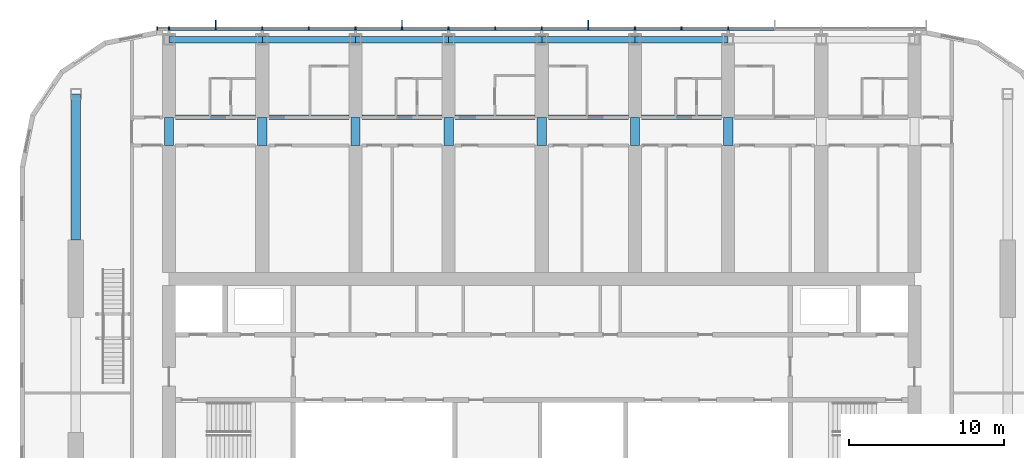
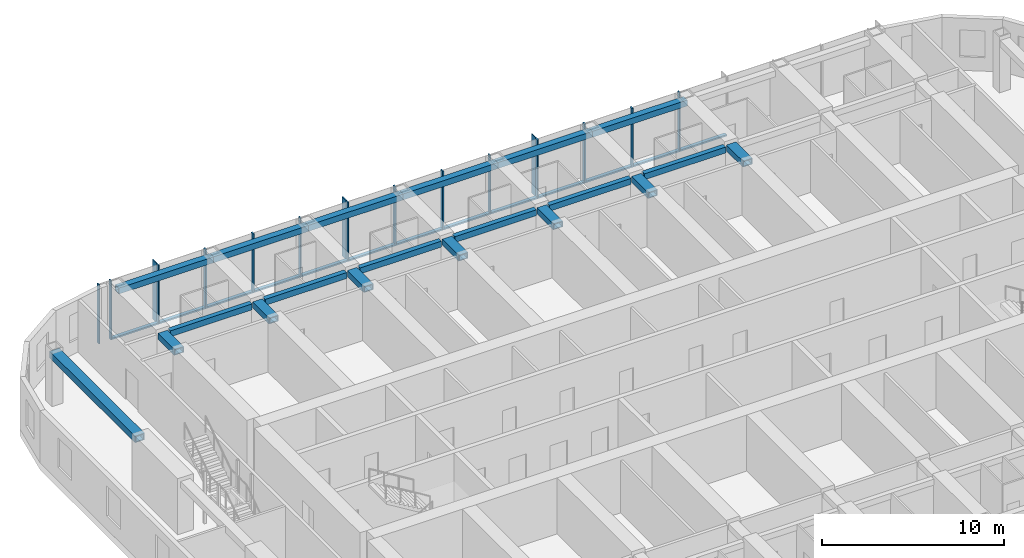
# One storey, part 6 of 27: 30 members, 20 beams, 1 element without a shape of its own.
"""IFC4 building model written with IfcOpenShell, lengths in metres."""

from ifc_helpers import new_model, si_unit, direction, frame, origin, origin_2d, place, context, subcontext, project, spatial, rectangle, hollow_rectangle, extrude, material, material_profile, profile_set, type_object, element, aggregate, save


model = new_model("IFC4")

# Units and contexts
model_context = context("Model", 3, precision=1e-05, world=origin(), true_north=direction((0.0, 1.0)))
body_context = subcontext(model_context, "Body", "Model", "MODEL_VIEW")
ifc_project = project(units=[si_unit("LENGTHUNIT", "METRE"), si_unit("AREAUNIT", "SQUARE_METRE"), si_unit("VOLUMEUNIT", "CUBIC_METRE"), si_unit("PLANEANGLEUNIT", "RADIAN"), si_unit("MASSUNIT", "GRAM", prefix="KILO")], contexts=[model_context])

# Site, building, storey
site_placement = place(None, origin())
site = spatial("IfcSite", under=ifc_project, at=site_placement, CompositionType="ELEMENT")
building_placement = place(site_placement, origin())
building = spatial("IfcBuilding", under=site, at=building_placement, Name="Orbita Commons", CompositionType="ELEMENT")
storey_placement = place(building_placement, frame((0.0, 0.0, 178.60009765625)))
storey = spatial("IfcBuildingStorey", under=building, at=storey_placement, Name="L44", CompositionType="ELEMENT", Elevation=178.60009765625)

# Curtain wall, members
ifc_material_1 = material(Name="Anodised aluminium frame, pale silver", Category="aluminium")
curtain_wall_type = type_object("IfcCurtainWallType", Name="Unitised curtain wall CW-U, full-height vision", PredefinedType="NOTDEFINED", material=ifc_material_1)
curtain_wall_placement = place(storey_placement, origin())
curtain_wall = element("IfcCurtainWall", 1, at=curtain_wall_placement, inside=storey, type_object=curtain_wall_type, Name="Curtain wall north L44", PredefinedType="NOTDEFINED")
ifc_material_2 = material(Name="Anodised aluminium, pale silver", Category="aluminium")
ifc_material_profile_1 = material_profile(ifc_material_2, rectangle(XDim=0.080078125, YDim=0.219970703125, at=origin_2d()), Name="AL 80x220")
ifc_profile_set_1 = profile_set([ifc_material_profile_1], Name="Anodised aluminium, pale silver")
member_type_1 = type_object("IfcMemberType", Name="Curtain wall mullion 80x220", PredefinedType="MULLION", material=ifc_profile_set_1)
member_1_placement = place(storey_placement, frame((54.0, 54.31005859375, -0.4501953125), z_axis=(0.0, 0.0, 1.0), x_axis=(-1.0, 0.0, 0.0)))
member_1 = element("IfcMember", 2, at=member_1_placement, type_object=member_type_1, Name="Mullion 6 CW-L44-N", PredefinedType="MULLION", context=body_context, shape_type="SweptSolid", body=[
    extrude(rectangle(XDim=0.080078125, YDim=0.219970703125, at=origin_2d()), origin(), (0.0, 0.0, 1.0), 3.9501953125),
])
member_2_placement = place(storey_placement, frame((51.0, 54.31005859375, -0.4501953125), z_axis=(0.0, 0.0, 1.0), x_axis=(-1.0, 0.0, 0.0)))
member_2 = element("IfcMember", 3, at=member_2_placement, type_object=member_type_1, Name="Mullion 7 CW-L44-N", PredefinedType="MULLION", context=body_context, shape_type="SweptSolid", body=[
    extrude(rectangle(XDim=0.080078125, YDim=0.219970703125, at=origin_2d()), origin(), (0.0, 0.0, 1.0), 3.9501953125),
])
member_3_placement = place(storey_placement, frame((48.0, 54.31005859375, -0.4501953125), z_axis=(0.0, 0.0, 1.0), x_axis=(-1.0, 0.0, 0.0)))
member_3 = element("IfcMember", 4, at=member_3_placement, type_object=member_type_1, Name="Mullion 8 CW-L44-N", PredefinedType="MULLION", context=body_context, shape_type="SweptSolid", body=[
    extrude(rectangle(XDim=0.080078125, YDim=0.219970703125, at=origin_2d()), origin(), (0.0, 0.0, 1.0), 3.9501953125),
])
member_4_placement = place(storey_placement, frame((45.0, 54.31005859375, -0.4501953125), z_axis=(0.0, 0.0, 1.0), x_axis=(-1.0, 0.0, 0.0)))
member_4 = element("IfcMember", 5, at=member_4_placement, type_object=member_type_1, Name="Mullion 9 CW-L44-N", PredefinedType="MULLION", context=body_context, shape_type="SweptSolid", body=[
    extrude(rectangle(XDim=0.080078125, YDim=0.219970703125, at=origin_2d()), origin(), (0.0, 0.0, 1.0), 3.9501953125),
])
member_5_placement = place(storey_placement, frame((42.0, 54.31005859375, -0.4501953125), z_axis=(0.0, 0.0, 1.0), x_axis=(-1.0, 0.0, 0.0)))
member_5 = element("IfcMember", 6, at=member_5_placement, type_object=member_type_1, Name="Mullion 10 CW-L44-N", PredefinedType="MULLION", context=body_context, shape_type="SweptSolid", body=[
    extrude(rectangle(XDim=0.080078125, YDim=0.219970703125, at=origin_2d()), origin(), (0.0, 0.0, 1.0), 3.9501953125),
])
member_6_placement = place(storey_placement, frame((39.0, 54.31005859375, -0.4501953125), z_axis=(0.0, 0.0, 1.0), x_axis=(-1.0, 0.0, 0.0)))
member_6 = element("IfcMember", 7, at=member_6_placement, type_object=member_type_1, Name="Mullion 11 CW-L44-N", PredefinedType="MULLION", context=body_context, shape_type="SweptSolid", body=[
    extrude(rectangle(XDim=0.080078125, YDim=0.219970703125, at=origin_2d()), origin(), (0.0, 0.0, 1.0), 3.9501953125),
])
member_7_placement = place(storey_placement, frame((36.0, 54.31005859375, -0.4501953125), z_axis=(0.0, 0.0, 1.0), x_axis=(-1.0, 0.0, 0.0)))
member_7 = element("IfcMember", 8, at=member_7_placement, type_object=member_type_1, Name="Mullion 12 CW-L44-N", PredefinedType="MULLION", context=body_context, shape_type="SweptSolid", body=[
    extrude(rectangle(XDim=0.080078125, YDim=0.219970703125, at=origin_2d()), origin(), (0.0, 0.0, 1.0), 3.9501953125),
])
member_8_placement = place(storey_placement, frame((33.0, 54.31005859375, -0.4501953125), z_axis=(0.0, 0.0, 1.0), x_axis=(-1.0, 0.0, 0.0)))
member_8 = element("IfcMember", 9, at=member_8_placement, type_object=member_type_1, Name="Mullion 13 CW-L44-N", PredefinedType="MULLION", context=body_context, shape_type="SweptSolid", body=[
    extrude(rectangle(XDim=0.080078125, YDim=0.219970703125, at=origin_2d()), origin(), (0.0, 0.0, 1.0), 3.9501953125),
])
member_9_placement = place(storey_placement, frame((30.0, 54.31005859375, -0.4501953125), z_axis=(0.0, 0.0, 1.0), x_axis=(-1.0, 0.0, 0.0)))
member_9 = element("IfcMember", 10, at=member_9_placement, type_object=member_type_1, Name="Mullion 14 CW-L44-N", PredefinedType="MULLION", context=body_context, shape_type="SweptSolid", body=[
    extrude(rectangle(XDim=0.080078125, YDim=0.219970703125, at=origin_2d()), origin(), (0.0, 0.0, 1.0), 3.9501953125),
])
member_10_placement = place(storey_placement, frame((27.0, 54.31005859375, -0.4501953125), z_axis=(0.0, 0.0, 1.0), x_axis=(-1.0, 0.0, 0.0)))
member_10 = element("IfcMember", 11, at=member_10_placement, type_object=member_type_1, Name="Mullion 15 CW-L44-N", PredefinedType="MULLION", context=body_context, shape_type="SweptSolid", body=[
    extrude(rectangle(XDim=0.080078125, YDim=0.219970703125, at=origin_2d()), origin(), (0.0, 0.0, 1.0), 3.9501953125),
])
member_11_placement = place(storey_placement, frame((24.0, 54.31005859375, -0.4501953125), z_axis=(0.0, 0.0, 1.0), x_axis=(-1.0, 0.0, 0.0)))
member_11 = element("IfcMember", 12, at=member_11_placement, type_object=member_type_1, Name="Mullion 16 CW-L44-N", PredefinedType="MULLION", context=body_context, shape_type="SweptSolid", body=[
    extrude(rectangle(XDim=0.080078125, YDim=0.219970703125, at=origin_2d()), origin(), (0.0, 0.0, 1.0), 3.9501953125),
])
member_12_placement = place(storey_placement, frame((21.0, 54.31005859375, -0.4501953125), z_axis=(0.0, 0.0, 1.0), x_axis=(-1.0, 0.0, 0.0)))
member_12 = element("IfcMember", 13, at=member_12_placement, type_object=member_type_1, Name="Mullion 17 CW-L44-N", PredefinedType="MULLION", context=body_context, shape_type="SweptSolid", body=[
    extrude(rectangle(XDim=0.080078125, YDim=0.219970703125, at=origin_2d()), origin(), (0.0, 0.0, 1.0), 3.9501953125),
])
member_13_placement = place(storey_placement, frame((18.0, 54.31005859375, -0.4501953125), z_axis=(0.0, 0.0, 1.0), x_axis=(-1.0, 0.0, 0.0)))
member_13 = element("IfcMember", 14, at=member_13_placement, type_object=member_type_1, Name="Mullion 18 CW-L44-N", PredefinedType="MULLION", context=body_context, shape_type="SweptSolid", body=[
    extrude(rectangle(XDim=0.080078125, YDim=0.219970703125, at=origin_2d()), origin(), (0.0, 0.0, 1.0), 3.9501953125),
])
member_14_placement = place(storey_placement, frame((17.239990234375, 54.31005859375, -0.4501953125), z_axis=(0.0, 0.0, 1.0), x_axis=(-1.0, 0.0, 0.0)))
member_14 = element("IfcMember", 15, at=member_14_placement, type_object=member_type_1, Name="Mullion 19 CW-L44-N", PredefinedType="MULLION", context=body_context, shape_type="SweptSolid", body=[
    extrude(rectangle(XDim=0.080078125, YDim=0.219970703125, at=origin_2d()), origin(), (0.0, 0.0, 1.0), 3.9501953125),
])
ifc_material_3 = material(Name="Anodised aluminium, pale silver", Category="aluminium")
ifc_material_profile_2 = material_profile(ifc_material_3, rectangle(XDim=0.219970703125, YDim=0.10009765625, at=origin_2d()), Name="AL 220x100")
ifc_profile_set_2 = profile_set([ifc_material_profile_2], Name="Anodised aluminium, pale silver")
member_type_2 = type_object("IfcMemberType", Name="Curtain wall stack transom 220x100", PredefinedType="USERDEFINED", material=ifc_profile_set_2)
member_15_placement = place(storey_placement, frame((56.9599609375, 54.31005859375, -0.400146484375), z_axis=(-1.0, 0.0, 0.0), x_axis=(0.0, -1.0, 0.0)))
member_15 = element("IfcMember", 16, at=member_15_placement, type_object=member_type_2, Name="Transom 5.1 CW-L44-N", ObjectType="TRANSOM", PredefinedType="USERDEFINED", context=body_context, shape_type="SweptSolid", body=[
    extrude(rectangle(XDim=0.219970703125, YDim=0.10009765625, at=origin_2d()), origin(), (0.0, 0.0, 1.0), 2.919921875),
])
member_16_placement = place(storey_placement, frame((53.9599609375, 54.31005859375, -0.400146484375), z_axis=(-1.0, 0.0, 0.0), x_axis=(0.0, -1.0, 0.0)))
member_16 = element("IfcMember", 17, at=member_16_placement, type_object=member_type_2, Name="Transom 6.1 CW-L44-N", ObjectType="TRANSOM", PredefinedType="USERDEFINED", context=body_context, shape_type="SweptSolid", body=[
    extrude(rectangle(XDim=0.219970703125, YDim=0.10009765625, at=origin_2d()), origin(), (0.0, 0.0, 1.0), 2.919921875),
])
member_17_placement = place(storey_placement, frame((50.9599609375, 54.31005859375, -0.400146484375), z_axis=(-1.0, 0.0, 0.0), x_axis=(0.0, -1.0, 0.0)))
member_17 = element("IfcMember", 18, at=member_17_placement, type_object=member_type_2, Name="Transom 7.1 CW-L44-N", ObjectType="TRANSOM", PredefinedType="USERDEFINED", context=body_context, shape_type="SweptSolid", body=[
    extrude(rectangle(XDim=0.219970703125, YDim=0.10009765625, at=origin_2d()), origin(), (0.0, 0.0, 1.0), 2.919921875),
])
member_18_placement = place(storey_placement, frame((47.9599609375, 54.31005859375, -0.400146484375), z_axis=(-1.0, 0.0, 0.0), x_axis=(0.0, -1.0, 0.0)))
member_18 = element("IfcMember", 19, at=member_18_placement, type_object=member_type_2, Name="Transom 8.1 CW-L44-N", ObjectType="TRANSOM", PredefinedType="USERDEFINED", context=body_context, shape_type="SweptSolid", body=[
    extrude(rectangle(XDim=0.219970703125, YDim=0.10009765625, at=origin_2d()), origin(), (0.0, 0.0, 1.0), 2.919921875),
])
member_19_placement = place(storey_placement, frame((44.9599609375, 54.31005859375, -0.400146484375), z_axis=(-1.0, 0.0, 0.0), x_axis=(0.0, -1.0, 0.0)))
member_19 = element("IfcMember", 20, at=member_19_placement, type_object=member_type_2, Name="Transom 9.1 CW-L44-N", ObjectType="TRANSOM", PredefinedType="USERDEFINED", context=body_context, shape_type="SweptSolid", body=[
    extrude(rectangle(XDim=0.219970703125, YDim=0.10009765625, at=origin_2d()), origin(), (0.0, 0.0, 1.0), 2.919921875),
])
member_20_placement = place(storey_placement, frame((41.9599609375, 54.31005859375, -0.400146484375), z_axis=(-1.0, 0.0, 0.0), x_axis=(0.0, -1.0, 0.0)))
member_20 = element("IfcMember", 21, at=member_20_placement, type_object=member_type_2, Name="Transom 10.1 CW-L44-N", ObjectType="TRANSOM", PredefinedType="USERDEFINED", context=body_context, shape_type="SweptSolid", body=[
    extrude(rectangle(XDim=0.219970703125, YDim=0.10009765625, at=origin_2d()), origin(), (0.0, 0.0, 1.0), 2.919921875),
])
member_21_placement = place(storey_placement, frame((38.9599609375, 54.31005859375, -0.400146484375), z_axis=(-1.0, 0.0, 0.0), x_axis=(0.0, -1.0, 0.0)))
member_21 = element("IfcMember", 22, at=member_21_placement, type_object=member_type_2, Name="Transom 11.1 CW-L44-N", ObjectType="TRANSOM", PredefinedType="USERDEFINED", context=body_context, shape_type="SweptSolid", body=[
    extrude(rectangle(XDim=0.219970703125, YDim=0.10009765625, at=origin_2d()), origin(), (0.0, 0.0, 1.0), 2.919921875),
])
member_22_placement = place(storey_placement, frame((35.9599609375, 54.31005859375, -0.400146484375), z_axis=(-1.0, 0.0, 0.0), x_axis=(0.0, -1.0, 0.0)))
member_22 = element("IfcMember", 23, at=member_22_placement, type_object=member_type_2, Name="Transom 12.1 CW-L44-N", ObjectType="TRANSOM", PredefinedType="USERDEFINED", context=body_context, shape_type="SweptSolid", body=[
    extrude(rectangle(XDim=0.219970703125, YDim=0.10009765625, at=origin_2d()), origin(), (0.0, 0.0, 1.0), 2.919921875),
])
member_23_placement = place(storey_placement, frame((32.9599609375, 54.31005859375, -0.400146484375), z_axis=(-1.0, 0.0, 0.0), x_axis=(0.0, -1.0, 0.0)))
member_23 = element("IfcMember", 24, at=member_23_placement, type_object=member_type_2, Name="Transom 13.1 CW-L44-N", ObjectType="TRANSOM", PredefinedType="USERDEFINED", context=body_context, shape_type="SweptSolid", body=[
    extrude(rectangle(XDim=0.219970703125, YDim=0.10009765625, at=origin_2d()), origin(), (0.0, 0.0, 1.0), 2.919921875),
])
member_24_placement = place(storey_placement, frame((29.9599609375, 54.31005859375, -0.400146484375), z_axis=(-1.0, 0.0, 0.0), x_axis=(0.0, -1.0, 0.0)))
member_24 = element("IfcMember", 25, at=member_24_placement, type_object=member_type_2, Name="Transom 14.1 CW-L44-N", ObjectType="TRANSOM", PredefinedType="USERDEFINED", context=body_context, shape_type="SweptSolid", body=[
    extrude(rectangle(XDim=0.219970703125, YDim=0.10009765625, at=origin_2d()), origin(), (0.0, 0.0, 1.0), 2.919921875),
])
member_25_placement = place(storey_placement, frame((26.9599609375, 54.31005859375, -0.400146484375), z_axis=(-1.0, 0.0, 0.0), x_axis=(0.0, -1.0, 0.0)))
member_25 = element("IfcMember", 26, at=member_25_placement, type_object=member_type_2, Name="Transom 15.1 CW-L44-N", ObjectType="TRANSOM", PredefinedType="USERDEFINED", context=body_context, shape_type="SweptSolid", body=[
    extrude(rectangle(XDim=0.219970703125, YDim=0.10009765625, at=origin_2d()), origin(), (0.0, 0.0, 1.0), 2.919921875),
])
member_26_placement = place(storey_placement, frame((23.9599609375, 54.31005859375, -0.400146484375), z_axis=(-1.0, 0.0, 0.0), x_axis=(0.0, -1.0, 0.0)))
member_26 = element("IfcMember", 27, at=member_26_placement, type_object=member_type_2, Name="Transom 16.1 CW-L44-N", ObjectType="TRANSOM", PredefinedType="USERDEFINED", context=body_context, shape_type="SweptSolid", body=[
    extrude(rectangle(XDim=0.219970703125, YDim=0.10009765625, at=origin_2d()), origin(), (0.0, 0.0, 1.0), 2.919921875),
])
member_27_placement = place(storey_placement, frame((20.9599609375, 54.31005859375, -0.400146484375), z_axis=(-1.0, 0.0, 0.0), x_axis=(0.0, -1.0, 0.0)))
member_27 = element("IfcMember", 28, at=member_27_placement, type_object=member_type_2, Name="Transom 17.1 CW-L44-N", ObjectType="TRANSOM", PredefinedType="USERDEFINED", context=body_context, shape_type="SweptSolid", body=[
    extrude(rectangle(XDim=0.219970703125, YDim=0.10009765625, at=origin_2d()), origin(), (0.0, 0.0, 1.0), 2.919921875),
])

# Beams
ifc_material_4 = material(Name="Steel ASTM A572 Gr 50 welded plate", Category="steel")
ifc_material_profile_3 = material_profile(ifc_material_4, hollow_rectangle(XDim=0.300048828125, YDim=0.39990234375, WallThickness=0.0400390625, at=origin_2d()), Name="BOX 400x300x40")
ifc_profile_set_3 = profile_set([ifc_material_profile_3], Name="Steel ASTM A572 Gr 50 welded plate")
beam_type_1 = type_object("IfcBeamType", Name="Steel corridor link BOX 400x300x40", PredefinedType="BEAM", material=ifc_profile_set_3)
for number, where, z_axis, x_axis, name in (
    (29, (18.425048828125, 48.60009765625, 3.2998046875), (1.0, 0.0, 0.0), (0.0, 1.0, 0.0), "Corridor beam NB 4-5 L44"),
    (30, (24.425048828125, 48.60009765625, 3.2998046875), (1.0, 0.0, 0.0), (0.0, 1.0, 0.0), "Corridor beam NB 5-6 L44"),
    (31, (30.425048828125, 48.60009765625, 3.2998046875), (1.0, 0.0, 0.0), (0.0, 1.0, 0.0), "Corridor beam NB 6-7 L44"),
    (32, (36.425048828125, 48.60009765625, 3.2998046875), (1.0, 0.0, 0.0), (0.0, 1.0, 0.0), "Corridor beam NB 7-8 L44"),
    (33, (42.425048828125, 48.60009765625, 3.2998046875), (1.0, 0.0, 0.0), (0.0, 1.0, 0.0), "Corridor beam NB 8-9 L44"),
    (34, (48.425048828125, 48.60009765625, 3.2998046875), (1.0, 0.0, 0.0), (0.0, 1.0, 0.0), "Corridor beam NB 9-10 L44"),
):
    element("IfcBeam", number, at=place(storey_placement, frame(where, z_axis=z_axis, x_axis=x_axis)), inside=storey, type_object=beam_type_1, Name=name, PredefinedType="BEAM", context=body_context, shape_type="SweptSolid", body=[
        extrude(hollow_rectangle(XDim=0.300048828125, YDim=0.39990234375, WallThickness=0.0400390625, at=origin_2d()), origin(), (0.0, 0.0, 1.0), 5.14990234375),
    ])
ifc_material_5 = material(Name="Steel ASTM A572 Gr 50 welded plate", Category="steel")
ifc_material_profile_4 = material_profile(ifc_material_5, hollow_rectangle(XDim=0.60009765625, YDim=0.39990234375, WallThickness=0.050048828125, at=origin_2d()), Name="BOX 400x600x50")
ifc_profile_set_4 = profile_set([ifc_material_profile_4], Name="Steel ASTM A572 Gr 50 welded plate")
beam_type_2 = type_object("IfcBeamType", Name="Steel coupling link BOX 400x600x50", PredefinedType="LINTEL", material=ifc_profile_set_4)
for number, where, z_axis, x_axis, name in (
    (35, (18.0, 46.800048828125, 3.2998046875), (0.0, 1.0, 0.0), (-1.0, 0.0, 0.0), "Coupling beam 4 north L44"),
    (36, (24.0, 46.800048828125, 3.2998046875), (0.0, 1.0, 0.0), (-1.0, 0.0, 0.0), "Coupling beam 5 north L44"),
    (37, (30.0, 46.800048828125, 3.2998046875), (0.0, 1.0, 0.0), (-1.0, 0.0, 0.0), "Coupling beam 6 north L44"),
    (38, (36.0, 46.800048828125, 3.2998046875), (0.0, 1.0, 0.0), (-1.0, 0.0, 0.0), "Coupling beam 7 north L44"),
    (39, (42.0, 46.800048828125, 3.2998046875), (0.0, 1.0, 0.0), (-1.0, 0.0, 0.0), "Coupling beam 8 north L44"),
    (40, (48.0, 46.800048828125, 3.2998046875), (0.0, 1.0, 0.0), (-1.0, 0.0, 0.0), "Coupling beam 9 north L44"),
    (41, (54.0, 46.800048828125, 3.2998046875), (0.0, 1.0, 0.0), (-1.0, 0.0, 0.0), "Coupling beam 10 north L44"),
):
    element("IfcBeam", number, at=place(storey_placement, frame(where, z_axis=z_axis, x_axis=x_axis)), inside=storey, type_object=beam_type_2, Name=name, PredefinedType="LINTEL", context=body_context, shape_type="SweptSolid", body=[
        extrude(hollow_rectangle(XDim=0.60009765625, YDim=0.39990234375, WallThickness=0.050048828125, at=origin_2d()), origin(), (0.0, 0.0, 1.0), 1.800048828125),
    ])
ifc_material_6 = material(Name="Steel ASTM A572 Gr 50 welded plate", Category="steel")
ifc_material_profile_5 = material_profile(ifc_material_6, hollow_rectangle(XDim=0.60009765625, YDim=0.449951171875, WallThickness=0.06005859375, at=origin_2d()), Name="BOX 450x600x60")
ifc_profile_set_5 = profile_set([ifc_material_profile_5], Name="Steel ASTM A572 Gr 50 welded plate")
beam_type_3 = type_object("IfcBeamType", Name="Steel end frame link BOX 450x600x60", PredefinedType="BEAM", material=ifc_profile_set_5)
beam_placement = place(storey_placement, frame((12.0, 40.699951171875, 3.27490234375), z_axis=(0.0, 1.0, 0.0), x_axis=(-1.0, 0.0, 0.0)))
element("IfcBeam", 42, at=beam_placement, inside=storey, type_object=beam_type_3, Name="End frame beam 3 D-E L44", PredefinedType="BEAM", context=body_context, shape_type="SweptSolid", body=[
    extrude(hollow_rectangle(XDim=0.60009765625, YDim=0.449951171875, WallThickness=0.06005859375, at=origin_2d()), origin(), (0.0, 0.0, 1.0), 9.400146484375),
])
ifc_material_7 = material(Name="Steel ASTM A572 Gr 50 welded plate", Category="steel")
ifc_material_profile_6 = material_profile(ifc_material_7, hollow_rectangle(XDim=0.39990234375, YDim=0.39990234375, WallThickness=0.0400390625, at=origin_2d()), Name="BOX 400x400x40")
ifc_profile_set_6 = profile_set([ifc_material_profile_6], Name="Steel ASTM A572 Gr 50 welded plate")
beam_type_4 = type_object("IfcBeamType", Name="Steel spandrel BOX 400x400x40", PredefinedType="SPANDREL", material=ifc_profile_set_6)
for number, where, z_axis, x_axis, name in (
    (43, (18.0, 53.60009765625, 3.2998046875), (1.0, 0.0, 0.0), (0.0, 1.0, 0.0), "Spandrel beam E 4-5 L44"),
    (44, (24.0, 53.60009765625, 3.2998046875), (1.0, 0.0, 0.0), (0.0, 1.0, 0.0), "Spandrel beam E 5-6 L44"),
    (45, (30.0, 53.60009765625, 3.2998046875), (1.0, 0.0, 0.0), (0.0, 1.0, 0.0), "Spandrel beam E 6-7 L44"),
    (46, (36.0, 53.60009765625, 3.2998046875), (1.0, 0.0, 0.0), (0.0, 1.0, 0.0), "Spandrel beam E 7-8 L44"),
    (47, (42.0, 53.60009765625, 3.2998046875), (1.0, 0.0, 0.0), (0.0, 1.0, 0.0), "Spandrel beam E 8-9 L44"),
    (48, (48.0, 53.60009765625, 3.2998046875), (1.0, 0.0, 0.0), (0.0, 1.0, 0.0), "Spandrel beam E 9-10 L44"),
):
    element("IfcBeam", number, at=place(storey_placement, frame(where, z_axis=z_axis, x_axis=x_axis)), inside=storey, type_object=beam_type_4, Name=name, PredefinedType="SPANDREL", context=body_context, shape_type="SweptSolid", body=[
        extrude(hollow_rectangle(XDim=0.39990234375, YDim=0.39990234375, WallThickness=0.0400390625, at=origin_2d()), origin(), (0.0, 0.0, 1.0), 6.0),
    ])

# Member
ifc_material_8 = material(Name="Anodised aluminium, pale silver", Category="aluminium")
ifc_material_profile_7 = material_profile(ifc_material_8, rectangle(XDim=0.06005859375, YDim=0.449951171875, at=origin_2d()), Name="FIN 60x450")
ifc_profile_set_7 = profile_set([ifc_material_profile_7], Name="Anodised aluminium, pale silver")
member_type_3 = type_object("IfcMemberType", Name="Vertical fin 60x450 pale aluminium", PredefinedType="USERDEFINED", material=ifc_profile_set_7)
member_28_placement = place(storey_placement, frame((45.0, 54.64501953125, -0.4501953125), z_axis=(0.0, 0.0, 1.0), x_axis=(-1.0, 0.0, 0.0)))
member_28 = element("IfcMember", 49, at=member_28_placement, type_object=member_type_3, Name="Fin 9 CW-L44-N", ObjectType="FIN", PredefinedType="USERDEFINED", context=body_context, shape_type="SweptSolid", body=[
    extrude(rectangle(XDim=0.06005859375, YDim=0.449951171875, at=origin_2d()), origin(), (0.0, 0.0, 1.0), 3.9501953125),
])

member_29_placement = place(storey_placement, frame((33.0, 54.64501953125, -0.4501953125), z_axis=(0.0, 0.0, 1.0), x_axis=(-1.0, 0.0, 0.0)))
member_29 = element("IfcMember", 50, at=member_29_placement, type_object=member_type_3, Name="Fin 13 CW-L44-N", ObjectType="FIN", PredefinedType="USERDEFINED", context=body_context, shape_type="SweptSolid", body=[
    extrude(rectangle(XDim=0.06005859375, YDim=0.449951171875, at=origin_2d()), origin(), (0.0, 0.0, 1.0), 3.9501953125),
])

member_30_placement = place(storey_placement, frame((21.0, 54.64501953125, -0.4501953125), z_axis=(0.0, 0.0, 1.0), x_axis=(-1.0, 0.0, 0.0)))
member_30 = element("IfcMember", 51, at=member_30_placement, type_object=member_type_3, Name="Fin 17 CW-L44-N", ObjectType="FIN", PredefinedType="USERDEFINED", context=body_context, shape_type="SweptSolid", body=[
    extrude(rectangle(XDim=0.06005859375, YDim=0.449951171875, at=origin_2d()), origin(), (0.0, 0.0, 1.0), 3.9501953125),
])

aggregate(curtain_wall, [member_1, member_2, member_3, member_4, member_28, member_5, member_6, member_7, member_8, member_29, member_9, member_10, member_11, member_12, member_30, member_13, member_14, member_15, member_16, member_17, member_18, member_19, member_20, member_21, member_22, member_23, member_24, member_25, member_26, member_27])

save(model, "model.ifc")
